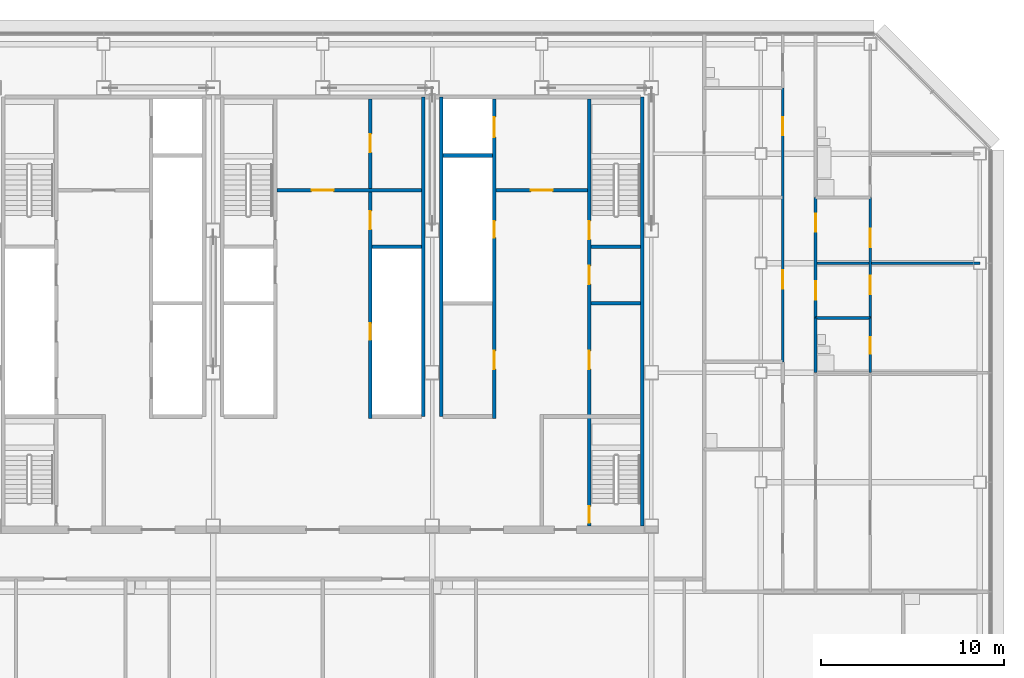
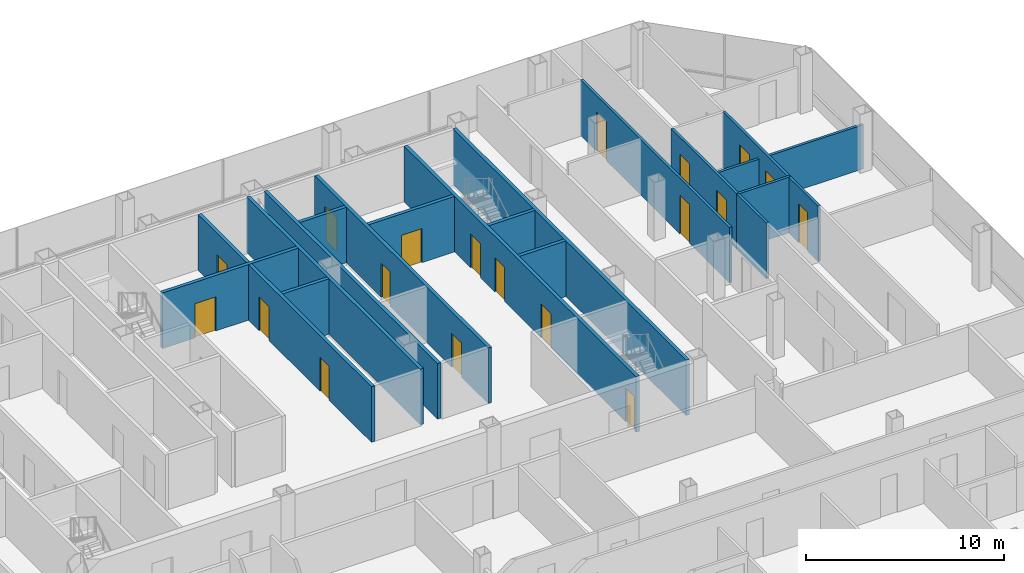
# One storey, part 22 of 26: 19 doors, 19 walls, 19 openings.
"""IFC4 building model written with IfcOpenShell, lengths in metres."""

from ifc_helpers import new_model, si_unit, direction, frame, frame_2d, origin, place, context, subcontext, project, spatial, rectangle, extrude, material, layer, layer_set, type_object, element, fill, save


model = new_model("IFC4")

# Units and contexts
model_context = context("Model", 3, precision=1e-05, world=origin(), true_north=direction((0.0, 1.0)))
body_context = subcontext(model_context, "Body", "Model", "MODEL_VIEW")
ifc_project = project(units=[si_unit("LENGTHUNIT", "METRE"), si_unit("AREAUNIT", "SQUARE_METRE"), si_unit("VOLUMEUNIT", "CUBIC_METRE"), si_unit("PLANEANGLEUNIT", "RADIAN"), si_unit("MASSUNIT", "GRAM", prefix="KILO")], contexts=[model_context])

# Site, building, storey
site_placement = place(None, origin())
site = spatial("IfcSite", under=ifc_project, at=site_placement, CompositionType="ELEMENT")
building_placement = place(site_placement, origin())
building = spatial("IfcBuilding", under=site, at=building_placement, Name="Sorahane Residences", CompositionType="ELEMENT")
storey_placement = place(building_placement, frame((0.0, 0.0, 151.0)))
storey = spatial("IfcBuildingStorey", under=building, at=storey_placement, Name="L34", CompositionType="ELEMENT", Elevation=151.0)

# Walls
ifc_material_1 = material(Name="Concrete C30", Category="concrete")
ifc_layer_1 = layer(ifc_material_1, 0.199951171875)
ifc_layer_set_1 = layer_set([ifc_layer_1], Name="Core face wall 200 EI 180")
wall_type_1 = type_object("IfcWallType", Name="Core face wall 200 EI 180", PredefinedType="SOLIDWALL", material=ifc_layer_set_1)
wall_1_placement = place(storey_placement, frame((41.5, 21.60009765625, 0.0), z_axis=(0.0, 0.0, 1.0), x_axis=(0.0, 1.0, 0.0)))
element("IfcWall", 1, at=wall_1_placement, inside=storey, type_object=wall_type_1, Name="L34 core face wall", PredefinedType="SOLIDWALL", context=body_context, shape_type="SweptSolid", body=[
    extrude(rectangle(XDim=23.5, YDim=0.199951171875, at=frame_2d((11.75, 0.0))), origin(), (0.0, 0.0, 1.0), 3.419921875),
])
for number, where, z_axis, x_axis, name in (
    (2, (29.5, 27.60009765625, 0.0), (0.0, 0.0, 1.0), (0.0, 1.0, 0.0), "L34 core face wall"),
    (3, (30.5, 27.60009765625, 0.0), (0.0, 0.0, 1.0), (0.0, 1.0, 0.0), "L34 core face wall"),
):
    element("IfcWall", number, at=place(storey_placement, frame(where, z_axis=z_axis, x_axis=x_axis)), inside=storey, type_object=wall_type_1, Name=name, PredefinedType="SOLIDWALL", context=body_context, shape_type="SweptSolid", body=[
        extrude(rectangle(XDim=17.5, YDim=0.199951171875, at=frame_2d((8.75, 0.0))), origin(), (0.0, 0.0, 1.0), 3.419921875),
    ])

# Wall, opening, door
ifc_material_2 = material(Name="Concrete C30", Category="concrete")
ifc_layer_2 = layer(ifc_material_2, 0.199951171875)
ifc_layer_set_2 = layer_set([ifc_layer_2], Name="Front room wall 200 EI 120")
wall_type_2 = type_object("IfcWallType", Name="Front room wall 200 EI 120", PredefinedType="PARTITIONING", material=ifc_layer_set_2)
wall_2_placement = place(storey_placement, frame((21.5, 40.0, 0.0), z_axis=(0.0, 0.0, 1.0), x_axis=(1.0, 0.0, 0.0)))
wall_2 = element("IfcWall", 4, at=wall_2_placement, inside=storey, type_object=wall_type_2, Name="L34 front room wall", PredefinedType="PARTITIONING", context=body_context, shape_type="SweptSolid", body=[
    extrude(rectangle(XDim=7.89990234375, YDim=0.199951171875, at=frame_2d((3.949951171875, 0.0))), origin(), (0.0, 0.0, 1.0), 3.419921875),
])
opening_1_placement = place(wall_2_placement, frame((1.89990234375, 0.0, 0.0)))
opening_1 = element("IfcOpeningElement", 5, at=opening_1_placement, cuts=wall_2, Name="Opening L34-C07", PredefinedType="OPENING", context=body_context, shape_type="SweptSolid", body=[
    extrude(rectangle(XDim=1.199951171875, YDim=2.10009765625, at=frame_2d((0.60009765625, 1.050048828125))), frame((0.0, 0.10986328125, 0.0), z_axis=(0.0, -1.0, 0.0), x_axis=(1.0, 0.0, 0.0)), (0.0, 0.0, 1.0), 0.219970703125),
])
ifc_material_3 = material(Name="Steel", Category="steel")
door_type_1 = type_object("IfcDoorType", Name="Front room door 1200x2100 FD120", OperationType="NOTDEFINED", PredefinedType="DOOR", material=ifc_material_3)
door_1_placement = place(opening_1_placement, frame((1.199951171875, 0.0, 0.0), z_axis=(0.0, 0.0, 1.0), x_axis=(-1.0, 0.0, 0.0)))
door_1 = element("IfcDoor", 6, at=door_1_placement, inside=storey, type_object=door_type_1, Name="Front room door Stair S3 vestibule L34", OperationType="DOUBLE_DOOR_SINGLE_SWING", OverallHeight=2.10009765625, OverallWidth=1.199951171875, PredefinedType="DOOR", context=body_context, shape_type="SweptSolid", body=[
    extrude(rectangle(XDim=1.199951171875, YDim=2.10009765625, at=frame_2d((0.60009765625, 1.050048828125))), frame((0.0, 0.02490234375, 0.0), z_axis=(0.0, -1.0, 0.0), x_axis=(1.0, 0.0, 0.0)), (0.0, 0.0, 1.0), 0.050048828125),
])
fill(opening_1, door_1)

wall_3_placement = place(storey_placement, frame((33.5, 40.0, 0.0), z_axis=(0.0, 0.0, 1.0), x_axis=(1.0, 0.0, 0.0)))
wall_3 = element("IfcWall", 7, at=wall_3_placement, inside=storey, type_object=wall_type_2, Name="L34 front room wall", PredefinedType="PARTITIONING", context=body_context, shape_type="SweptSolid", body=[
    extrude(rectangle(XDim=5.0, YDim=0.199951171875, at=frame_2d((2.5, 0.0))), origin(), (0.0, 0.0, 1.0), 3.419921875),
])
opening_2_placement = place(wall_3_placement, frame((1.89990234375, 0.0, 0.0)))
opening_2 = element("IfcOpeningElement", 8, at=opening_2_placement, cuts=wall_3, Name="Opening L34-C08", PredefinedType="OPENING", context=body_context, shape_type="SweptSolid", body=[
    extrude(rectangle(XDim=1.199951171875, YDim=2.10009765625, at=frame_2d((0.60009765625, 1.050048828125))), frame((0.0, 0.10986328125, 0.0), z_axis=(0.0, -1.0, 0.0), x_axis=(1.0, 0.0, 0.0)), (0.0, 0.0, 1.0), 0.219970703125),
])
door_2_placement = place(opening_2_placement, frame((1.199951171875, 0.0, 0.0), z_axis=(0.0, 0.0, 1.0), x_axis=(-1.0, 0.0, 0.0)))
door_2 = element("IfcDoor", 9, at=door_2_placement, inside=storey, type_object=door_type_1, Name="Front room door Firefighting lobby FF2 front room L34", OperationType="DOUBLE_DOOR_SINGLE_SWING", OverallHeight=2.10009765625, OverallWidth=1.199951171875, PredefinedType="DOOR", context=body_context, shape_type="SweptSolid", body=[
    extrude(rectangle(XDim=1.199951171875, YDim=2.10009765625, at=frame_2d((0.60009765625, 1.050048828125))), frame((0.0, 0.02490234375, 0.0), z_axis=(0.0, -1.0, 0.0), x_axis=(1.0, 0.0, 0.0)), (0.0, 0.0, 1.0), 0.050048828125),
])
fill(opening_2, door_2)

# Wall, openings, doors
ifc_material_4 = material(Name="Concrete C30", Category="concrete")
ifc_layer_3 = layer(ifc_material_4, 0.199951171875)
ifc_layer_set_3 = layer_set([ifc_layer_3], Name="Lift shaft wall 200 EI 120")
wall_type_3 = type_object("IfcWallType", Name="Lift shaft wall 200 EI 120", PredefinedType="SOLIDWALL", material=ifc_layer_set_3)
wall_4_placement = place(storey_placement, frame((33.39990234375, 27.5, 0.0), z_axis=(0.0, 0.0, 1.0), x_axis=(0.0, 1.0, 0.0)))
wall_4 = element("IfcWall", 10, at=wall_4_placement, inside=storey, type_object=wall_type_3, Name="L34 lift shaft wall", PredefinedType="SOLIDWALL", context=body_context, shape_type="SweptSolid", body=[
    extrude(rectangle(XDim=17.5, YDim=0.199951171875, at=frame_2d((8.75, 0.0))), origin(), (0.0, 0.0, 1.0), 3.419921875),
])
opening_3_placement = place(wall_4_placement, frame((15.39990234375, 0.0, 0.0)))
opening_3 = element("IfcOpeningElement", 11, at=opening_3_placement, cuts=wall_4, Name="Opening L34-C09", PredefinedType="OPENING", context=body_context, shape_type="SweptSolid", body=[
    extrude(rectangle(XDim=1.10009765625, YDim=2.10009765625, at=frame_2d((0.550048828125, 1.050048828125))), frame((0.0, 0.10986328125, 0.0), z_axis=(0.0, -1.0, 0.0), x_axis=(1.0, 0.0, 0.0)), (0.0, 0.0, 1.0), 0.219970703125),
])
opening_4_placement = place(wall_4_placement, frame((2.699951171875, 0.0, 0.0)))
opening_4 = element("IfcOpeningElement", 12, at=opening_4_placement, cuts=wall_4, Name="Opening L34-C18", PredefinedType="OPENING", context=body_context, shape_type="SweptSolid", body=[
    extrude(rectangle(XDim=1.0, YDim=2.10009765625, at=frame_2d((0.5, 1.050048828125))), frame((0.0, 0.10986328125, 0.0), z_axis=(0.0, -1.0, 0.0), x_axis=(1.0, 0.0, 0.0)), (0.0, 0.0, 1.0), 0.219970703125),
])
opening_5_placement = place(wall_4_placement, frame((9.89990234375, 0.0, 0.0)))
opening_5 = element("IfcOpeningElement", 13, at=opening_5_placement, cuts=wall_4, Name="Opening L34-C25", PredefinedType="OPENING", context=body_context, shape_type="SweptSolid", body=[
    extrude(rectangle(XDim=0.89990234375, YDim=2.10009765625, at=frame_2d((0.449951171875, 1.050048828125))), frame((0.0, 0.10986328125, 0.0), z_axis=(0.0, -1.0, 0.0), x_axis=(1.0, 0.0, 0.0)), (0.0, 0.0, 1.0), 0.219970703125),
])
ifc_material_5 = material(Name="Aluminium and stainless steel", Category="steel")
door_type_2 = type_object("IfcDoorType", Name="Lift landing door 1100x2100 E 60", OperationType="NOTDEFINED", PredefinedType="DOOR", material=ifc_material_5)
door_3_placement = place(opening_3_placement, origin())
door_3 = element("IfcDoor", 14, at=door_3_placement, inside=storey, type_object=door_type_2, Name="Lift landing door FF2 L34", OperationType="DOUBLE_DOOR_SLIDING", OverallHeight=2.10009765625, OverallWidth=1.10009765625, PredefinedType="DOOR", context=body_context, shape_type="SweptSolid", body=[
    extrude(rectangle(XDim=1.10009765625, YDim=2.10009765625, at=frame_2d((0.550048828125, 1.050048828125))), frame((0.0, 0.02490234375, 0.0), z_axis=(0.0, -1.0, 0.0), x_axis=(1.0, 0.0, 0.0)), (0.0, 0.0, 1.0), 0.050048828125),
])
fill(opening_3, door_3)
ifc_material_6 = material(Name="Steel", Category="steel")
door_type_3 = type_object("IfcDoorType", Name="Riser door 900x2100 FD120", OperationType="NOTDEFINED", PredefinedType="DOOR", material=ifc_material_6)
door_4_placement = place(opening_5_placement, frame((0.89990234375, 0.0, 0.0), z_axis=(0.0, 0.0, 1.0), x_axis=(-1.0, 0.0, 0.0)))
door_4 = element("IfcDoor", 15, at=door_4_placement, inside=storey, type_object=door_type_3, Name="Riser door R2 L34", OperationType="SINGLE_SWING_LEFT", OverallHeight=2.10009765625, OverallWidth=0.89990234375, PredefinedType="DOOR", context=body_context, shape_type="SweptSolid", body=[
    extrude(rectangle(XDim=0.89990234375, YDim=2.10009765625, at=frame_2d((0.449951171875, 1.050048828125))), frame((0.0, 0.02490234375, 0.0), z_axis=(0.0, -1.0, 0.0), x_axis=(1.0, 0.0, 0.0)), (0.0, 0.0, 1.0), 0.050048828125),
])
fill(opening_5, door_4)
ifc_material_7 = material(Name="Steel", Category="steel")
door_type_4 = type_object("IfcDoorType", Name="Service room door 1000x2100 FD60", OperationType="NOTDEFINED", PredefinedType="DOOR", material=ifc_material_7)
door_5_placement = place(opening_4_placement, origin())
door_5 = element("IfcDoor", 16, at=door_5_placement, inside=storey, type_object=door_type_4, Name="Service room door Library L34", OperationType="SINGLE_SWING_RIGHT", OverallHeight=2.10009765625, OverallWidth=1.0, PredefinedType="DOOR", context=body_context, shape_type="SweptSolid", body=[
    extrude(rectangle(XDim=1.0, YDim=2.10009765625, at=frame_2d((0.5, 1.050048828125))), frame((0.0, 0.02490234375, 0.0), z_axis=(0.0, -1.0, 0.0), x_axis=(1.0, 0.0, 0.0)), (0.0, 0.0, 1.0), 0.050048828125),
])
fill(opening_4, door_5)

# Wall
wall_5_placement = place(storey_placement, frame((30.60009765625, 41.89990234375, 0.0), z_axis=(0.0, 0.0, 1.0), x_axis=(1.0, 0.0, 0.0)))
element("IfcWall", 17, at=wall_5_placement, inside=storey, type_object=wall_type_3, Name="L34 lift shaft wall", PredefinedType="SOLIDWALL", context=body_context, shape_type="SweptSolid", body=[
    extrude(rectangle(XDim=2.699951171875, YDim=0.199951171875, at=frame_2d((1.35009765625, 0.0))), origin(), (0.0, 0.0, 1.0), 3.419921875),
])

# Wall, openings, doors
ifc_material_8 = material(Name="Gypsum board partition on steel studs", Category="steel")
ifc_layer_4 = layer(ifc_material_8, 0.14990234375)
ifc_layer_set_4 = layer_set([ifc_layer_4], Name="Partition 150 EI 90")
wall_type_4 = type_object("IfcWallType", Name="Partition 150 EI 90", PredefinedType="PARTITIONING", material=ifc_layer_set_4)
wall_6_placement = place(storey_placement, frame((49.199951171875, 30.60009765625, 0.0), z_axis=(0.0, 0.0, 1.0), x_axis=(0.0, 1.0, 0.0)))
wall_6 = element("IfcWall", 18, at=wall_6_placement, inside=storey, type_object=wall_type_4, Name="L34 partition", PredefinedType="PARTITIONING", context=body_context, shape_type="SweptSolid", body=[
    extrude(rectangle(XDim=15.0, YDim=0.14990234375, at=frame_2d((7.5, 0.0))), origin(), (0.0, 0.0, 1.0), 3.419921875),
])
opening_6_placement = place(wall_6_placement, frame((12.39990234375, 0.0, 0.0)))
opening_6 = element("IfcOpeningElement", 19, at=opening_6_placement, cuts=wall_6, Name="Opening L34-28", PredefinedType="OPENING", context=body_context, shape_type="SweptSolid", body=[
    extrude(rectangle(XDim=1.0, YDim=2.39990234375, at=frame_2d((0.5, 1.199951171875))), frame((0.0, 0.0849609375, 0.0), z_axis=(0.0, -1.0, 0.0), x_axis=(1.0, 0.0, 0.0)), (0.0, 0.0, 1.0), 0.169921875),
])
opening_7_placement = place(wall_6_placement, frame((4.0, 0.0, 0.0)))
opening_7 = element("IfcOpeningElement", 20, at=opening_7_placement, cuts=wall_6, Name="Opening L34-31", PredefinedType="OPENING", context=body_context, shape_type="SweptSolid", body=[
    extrude(rectangle(XDim=1.0, YDim=2.39990234375, at=frame_2d((0.5, 1.199951171875))), frame((0.0, 0.0849609375, 0.0), z_axis=(0.0, -1.0, 0.0), x_axis=(1.0, 0.0, 0.0)), (0.0, 0.0, 1.0), 0.169921875),
])
ifc_material_9 = material(Name="Timber veneered fire door", Category="wood")
door_type_5 = type_object("IfcDoorType", Name="Room door 1000x2400 FD30", OperationType="NOTDEFINED", PredefinedType="DOOR", material=ifc_material_9)
door_6_placement = place(opening_6_placement, frame((1.0, 0.0, 0.0), z_axis=(0.0, 0.0, 1.0), x_axis=(-1.0, 0.0, 0.0)))
door_6 = element("IfcDoor", 21, at=door_6_placement, inside=storey, type_object=door_type_5, Name="Room door L34-28", OperationType="SINGLE_SWING_LEFT", OverallHeight=2.39990234375, OverallWidth=1.0, PredefinedType="DOOR", context=body_context, shape_type="SweptSolid", body=[
    extrude(rectangle(XDim=1.0, YDim=2.39990234375, at=frame_2d((0.5, 1.199951171875))), frame((0.0, 0.02490234375, 0.0), z_axis=(0.0, -1.0, 0.0), x_axis=(1.0, 0.0, 0.0)), (0.0, 0.0, 1.0), 0.050048828125),
])
fill(opening_6, door_6)
door_7_placement = place(opening_7_placement, origin())
door_7 = element("IfcDoor", 22, at=door_7_placement, inside=storey, type_object=door_type_5, Name="Room door L34-31", OperationType="SINGLE_SWING_LEFT", OverallHeight=2.39990234375, OverallWidth=1.0, PredefinedType="DOOR", context=body_context, shape_type="SweptSolid", body=[
    extrude(rectangle(XDim=1.0, YDim=2.39990234375, at=frame_2d((0.5, 1.199951171875))), frame((0.0, 0.02490234375, 0.0), z_axis=(0.0, -1.0, 0.0), x_axis=(1.0, 0.0, 0.0)), (0.0, 0.0, 1.0), 0.050048828125),
])
fill(opening_7, door_7)

wall_7_placement = place(storey_placement, frame((51.0, 33.0, 0.0), z_axis=(0.0, 0.0, 1.0), x_axis=(0.0, 1.0, 0.0)))
wall_7 = element("IfcWall", 23, at=wall_7_placement, inside=storey, type_object=wall_type_4, Name="L34 partition", PredefinedType="PARTITIONING", context=body_context, shape_type="SweptSolid", body=[
    extrude(rectangle(XDim=6.60009765625, YDim=0.14990234375, at=frame_2d((3.300048828125, 0.0))), origin(), (0.0, 0.0, 1.0), 3.419921875),
])
opening_8_placement = place(wall_7_placement, frame((1.0, 0.0, 0.0)))
opening_8 = element("IfcOpeningElement", 24, at=opening_8_placement, cuts=wall_7, Name="Opening L34-34", PredefinedType="OPENING", context=body_context, shape_type="SweptSolid", body=[
    extrude(rectangle(XDim=1.0, YDim=2.39990234375, at=frame_2d((0.5, 1.199951171875))), frame((0.0, 0.0849609375, 0.0), z_axis=(0.0, -1.0, 0.0), x_axis=(1.0, 0.0, 0.0)), (0.0, 0.0, 1.0), 0.169921875),
])
opening_9_placement = place(wall_7_placement, frame((4.719970703125, 0.0, 0.0)))
opening_9 = element("IfcOpeningElement", 25, at=opening_9_placement, cuts=wall_7, Name="Opening L34-35", PredefinedType="OPENING", context=body_context, shape_type="SweptSolid", body=[
    extrude(rectangle(XDim=1.0, YDim=2.39990234375, at=frame_2d((0.5, 1.199951171875))), frame((0.0, 0.0849609375, 0.0), z_axis=(0.0, -1.0, 0.0), x_axis=(1.0, 0.0, 0.0)), (0.0, 0.0, 1.0), 0.169921875),
])
door_8_placement = place(opening_8_placement, frame((1.0, 0.0, 0.0), z_axis=(0.0, 0.0, 1.0), x_axis=(-1.0, 0.0, 0.0)))
door_8 = element("IfcDoor", 26, at=door_8_placement, inside=storey, type_object=door_type_5, Name="Room door L34-34", OperationType="SINGLE_SWING_RIGHT", OverallHeight=2.39990234375, OverallWidth=1.0, PredefinedType="DOOR", context=body_context, shape_type="SweptSolid", body=[
    extrude(rectangle(XDim=1.0, YDim=2.39990234375, at=frame_2d((0.5, 1.199951171875))), frame((0.0, 0.02490234375, 0.0), z_axis=(0.0, -1.0, 0.0), x_axis=(1.0, 0.0, 0.0)), (0.0, 0.0, 1.0), 0.050048828125),
])
fill(opening_8, door_8)
door_9_placement = place(opening_9_placement, frame((1.0, 0.0, 0.0), z_axis=(0.0, 0.0, 1.0), x_axis=(-1.0, 0.0, 0.0)))
door_9 = element("IfcDoor", 27, at=door_9_placement, inside=storey, type_object=door_type_5, Name="Room door L34-35", OperationType="SINGLE_SWING_LEFT", OverallHeight=2.39990234375, OverallWidth=1.0, PredefinedType="DOOR", context=body_context, shape_type="SweptSolid", body=[
    extrude(rectangle(XDim=1.0, YDim=2.39990234375, at=frame_2d((0.5, 1.199951171875))), frame((0.0, 0.02490234375, 0.0), z_axis=(0.0, -1.0, 0.0), x_axis=(1.0, 0.0, 0.0)), (0.0, 0.0, 1.0), 0.050048828125),
])
fill(opening_9, door_9)

wall_8_placement = place(storey_placement, frame((54.0, 33.0, 0.0), z_axis=(0.0, 0.0, 1.0), x_axis=(0.0, 1.0, 0.0)))
wall_8 = element("IfcWall", 28, at=wall_8_placement, inside=storey, type_object=wall_type_4, Name="L34 partition", PredefinedType="PARTITIONING", context=body_context, shape_type="SweptSolid", body=[
    extrude(rectangle(XDim=6.60009765625, YDim=0.14990234375, at=frame_2d((3.300048828125, 0.0))), origin(), (0.0, 0.0, 1.0), 3.419921875),
])
opening_10_placement = place(wall_8_placement, frame((1.300048828125, 0.0, 0.0)))
opening_10 = element("IfcOpeningElement", 29, at=opening_10_placement, cuts=wall_8, Name="Opening L34-37", PredefinedType="OPENING", context=body_context, shape_type="SweptSolid", body=[
    extrude(rectangle(XDim=1.0, YDim=2.39990234375, at=frame_2d((0.5, 1.199951171875))), frame((0.0, 0.0849609375, 0.0), z_axis=(0.0, -1.0, 0.0), x_axis=(1.0, 0.0, 0.0)), (0.0, 0.0, 1.0), 0.169921875),
])
opening_11_placement = place(wall_8_placement, frame((3.8798828125, 0.0, 0.0)))
opening_11 = element("IfcOpeningElement", 30, at=opening_11_placement, cuts=wall_8, Name="Opening L34-39", PredefinedType="OPENING", context=body_context, shape_type="SweptSolid", body=[
    extrude(rectangle(XDim=1.0, YDim=2.39990234375, at=frame_2d((0.5, 1.199951171875))), frame((0.0, 0.0849609375, 0.0), z_axis=(0.0, -1.0, 0.0), x_axis=(1.0, 0.0, 0.0)), (0.0, 0.0, 1.0), 0.169921875),
])
door_10_placement = place(opening_10_placement, frame((1.0, 0.0, 0.0), z_axis=(0.0, 0.0, 1.0), x_axis=(-1.0, 0.0, 0.0)))
door_10 = element("IfcDoor", 31, at=door_10_placement, inside=storey, type_object=door_type_5, Name="Room door L34-37", OperationType="SINGLE_SWING_RIGHT", OverallHeight=2.39990234375, OverallWidth=1.0, PredefinedType="DOOR", context=body_context, shape_type="SweptSolid", body=[
    extrude(rectangle(XDim=1.0, YDim=2.39990234375, at=frame_2d((0.5, 1.199951171875))), frame((0.0, 0.02490234375, 0.0), z_axis=(0.0, -1.0, 0.0), x_axis=(1.0, 0.0, 0.0)), (0.0, 0.0, 1.0), 0.050048828125),
])
fill(opening_10, door_10)
door_11_placement = place(opening_11_placement, frame((1.0, 0.0, 0.0), z_axis=(0.0, 0.0, 1.0), x_axis=(-1.0, 0.0, 0.0)))
door_11 = element("IfcDoor", 32, at=door_11_placement, inside=storey, type_object=door_type_5, Name="Room door L34-39", OperationType="SINGLE_SWING_LEFT", OverallHeight=2.39990234375, OverallWidth=1.0, PredefinedType="DOOR", context=body_context, shape_type="SweptSolid", body=[
    extrude(rectangle(XDim=1.0, YDim=2.39990234375, at=frame_2d((0.5, 1.199951171875))), frame((0.0, 0.02490234375, 0.0), z_axis=(0.0, -1.0, 0.0), x_axis=(1.0, 0.0, 0.0)), (0.0, 0.0, 1.0), 0.050048828125),
])
fill(opening_11, door_11)

# Wall
wall_9_placement = place(storey_placement, frame((51.0, 36.0, 0.0), z_axis=(0.0, 0.0, 1.0), x_axis=(1.0, 0.0, 0.0)))
element("IfcWall", 33, at=wall_9_placement, inside=storey, type_object=wall_type_4, Name="L34 partition", PredefinedType="PARTITIONING", context=body_context, shape_type="SweptSolid", body=[
    extrude(rectangle(XDim=9.0, YDim=0.14990234375, at=frame_2d((4.5, 0.0))), origin(), (0.0, 0.0, 1.0), 2.719970703125),
])

# Wall, openings, doors
ifc_material_10 = material(Name="Concrete C30", Category="concrete")
ifc_layer_5 = layer(ifc_material_10, 0.199951171875)
ifc_layer_set_5 = layer_set([ifc_layer_5], Name="Riser shaft wall 200 EI 120")
wall_type_5 = type_object("IfcWallType", Name="Riser shaft wall 200 EI 120", PredefinedType="SOLIDWALL", material=ifc_layer_set_5)
wall_10_placement = place(storey_placement, frame((26.60009765625, 27.5, 0.0), z_axis=(0.0, 0.0, 1.0), x_axis=(0.0, 1.0, 0.0)))
wall_10 = element("IfcWall", 34, at=wall_10_placement, inside=storey, type_object=wall_type_5, Name="L34 riser wall", PredefinedType="SOLIDWALL", context=body_context, shape_type="SweptSolid", body=[
    extrude(rectangle(XDim=17.5, YDim=0.199951171875, at=frame_2d((8.75, 0.0))), origin(), (0.0, 0.0, 1.0), 3.419921875),
])
opening_12_placement = place(wall_10_placement, frame((4.300048828125, 0.0, 0.0)))
opening_12 = element("IfcOpeningElement", 35, at=opening_12_placement, cuts=wall_10, Name="Opening L34-C27", PredefinedType="OPENING", context=body_context, shape_type="SweptSolid", body=[
    extrude(rectangle(XDim=0.89990234375, YDim=2.10009765625, at=frame_2d((0.449951171875, 1.050048828125))), frame((0.0, 0.10986328125, 0.0), z_axis=(0.0, -1.0, 0.0), x_axis=(1.0, 0.0, 0.0)), (0.0, 0.0, 1.0), 0.219970703125),
])
opening_13_placement = place(wall_10_placement, frame((10.35009765625, 0.0, 0.0)))
opening_13 = element("IfcOpeningElement", 36, at=opening_13_placement, cuts=wall_10, Name="Opening L34-C28", PredefinedType="OPENING", context=body_context, shape_type="SweptSolid", body=[
    extrude(rectangle(XDim=1.0, YDim=2.10009765625, at=frame_2d((0.5, 1.050048828125))), frame((0.0, 0.10986328125, 0.0), z_axis=(0.0, -1.0, 0.0), x_axis=(1.0, 0.0, 0.0)), (0.0, 0.0, 1.0), 0.219970703125),
])
opening_14_placement = place(wall_10_placement, frame((14.574951171875, 0.0, 0.0)))
opening_14 = element("IfcOpeningElement", 37, at=opening_14_placement, cuts=wall_10, Name="Opening L34-C29", PredefinedType="OPENING", context=body_context, shape_type="SweptSolid", body=[
    extrude(rectangle(XDim=1.0, YDim=2.10009765625, at=frame_2d((0.5, 1.050048828125))), frame((0.0, 0.10986328125, 0.0), z_axis=(0.0, -1.0, 0.0), x_axis=(1.0, 0.0, 0.0)), (0.0, 0.0, 1.0), 0.219970703125),
])
door_12_placement = place(opening_12_placement, origin())
door_12 = element("IfcDoor", 38, at=door_12_placement, inside=storey, type_object=door_type_3, Name="Riser door R4 L34", OperationType="SINGLE_SWING_LEFT", OverallHeight=2.10009765625, OverallWidth=0.89990234375, PredefinedType="DOOR", context=body_context, shape_type="SweptSolid", body=[
    extrude(rectangle(XDim=0.89990234375, YDim=2.10009765625, at=frame_2d((0.449951171875, 1.050048828125))), frame((0.0, 0.02490234375, 0.0), z_axis=(0.0, -1.0, 0.0), x_axis=(1.0, 0.0, 0.0)), (0.0, 0.0, 1.0), 0.050048828125),
])
fill(opening_12, door_12)
door_13_placement = place(opening_13_placement, frame((1.0, 0.0, 0.0), z_axis=(0.0, 0.0, 1.0), x_axis=(-1.0, 0.0, 0.0)))
door_13 = element("IfcDoor", 39, at=door_13_placement, inside=storey, type_object=door_type_4, Name="Service room door Linen room L34", OperationType="SINGLE_SWING_LEFT", OverallHeight=2.10009765625, OverallWidth=1.0, PredefinedType="DOOR", context=body_context, shape_type="SweptSolid", body=[
    extrude(rectangle(XDim=1.0, YDim=2.10009765625, at=frame_2d((0.5, 1.050048828125))), frame((0.0, 0.02490234375, 0.0), z_axis=(0.0, -1.0, 0.0), x_axis=(1.0, 0.0, 0.0)), (0.0, 0.0, 1.0), 0.050048828125),
])
fill(opening_13, door_13)
door_14_placement = place(opening_14_placement, frame((1.0, 0.0, 0.0), z_axis=(0.0, 0.0, 1.0), x_axis=(-1.0, 0.0, 0.0)))
door_14 = element("IfcDoor", 40, at=door_14_placement, inside=storey, type_object=door_type_4, Name="Service room door Cleaners' store L34", OperationType="SINGLE_SWING_LEFT", OverallHeight=2.10009765625, OverallWidth=1.0, PredefinedType="DOOR", context=body_context, shape_type="SweptSolid", body=[
    extrude(rectangle(XDim=1.0, YDim=2.10009765625, at=frame_2d((0.5, 1.050048828125))), frame((0.0, 0.02490234375, 0.0), z_axis=(0.0, -1.0, 0.0), x_axis=(1.0, 0.0, 0.0)), (0.0, 0.0, 1.0), 0.050048828125),
])
fill(opening_14, door_14)

# Walls
wall_11_placement = place(storey_placement, frame((26.699951171875, 36.89990234375, 0.0), z_axis=(0.0, 0.0, 1.0), x_axis=(1.0, 0.0, 0.0)))
element("IfcWall", 41, at=wall_11_placement, inside=storey, type_object=wall_type_5, Name="L34 riser wall", PredefinedType="SOLIDWALL", context=body_context, shape_type="SweptSolid", body=[
    extrude(rectangle(XDim=2.699951171875, YDim=0.199951171875, at=frame_2d((1.35009765625, 0.0))), origin(), (0.0, 0.0, 1.0), 3.419921875),
])
ifc_material_11 = material(Name="Concrete C30", Category="concrete")
ifc_layer_6 = layer(ifc_material_11, 0.199951171875)
ifc_layer_set_6 = layer_set([ifc_layer_6], Name="Service room partition 200 EI 60")
wall_type_6 = type_object("IfcWallType", Name="Service room partition 200 EI 60", PredefinedType="PARTITIONING", material=ifc_layer_set_6)
wall_12_placement = place(storey_placement, frame((38.699951171875, 33.800048828125, 0.0), z_axis=(0.0, 0.0, 1.0), x_axis=(1.0, 0.0, 0.0)))
element("IfcWall", 42, at=wall_12_placement, inside=storey, type_object=wall_type_6, Name="L34 service room wall", PredefinedType="PARTITIONING", context=body_context, shape_type="SweptSolid", body=[
    extrude(rectangle(XDim=2.699951171875, YDim=0.199951171875, at=frame_2d((1.35009765625, 0.0))), origin(), (0.0, 0.0, 1.0), 3.419921875),
])

# Wall, openings, doors
ifc_material_12 = material(Name="Concrete C30", Category="concrete")
ifc_layer_7 = layer(ifc_material_12, 0.199951171875)
ifc_layer_set_7 = layer_set([ifc_layer_7], Name="Stair enclosure wall 200 EI 120")
wall_type_7 = type_object("IfcWallType", Name="Stair enclosure wall 200 EI 120", PredefinedType="SOLIDWALL", material=ifc_layer_set_7)
wall_13_placement = place(storey_placement, frame((38.60009765625, 21.60009765625, 0.0), z_axis=(0.0, 0.0, 1.0), x_axis=(0.0, 1.0, 0.0)))
wall_13 = element("IfcWall", 43, at=wall_13_placement, inside=storey, type_object=wall_type_7, Name="L34 stair enclosure wall", PredefinedType="SOLIDWALL", context=body_context, shape_type="SweptSolid", body=[
    extrude(rectangle(XDim=23.39990234375, YDim=0.199951171875, at=frame_2d((11.699951171875, 0.0))), origin(), (0.0, 0.0, 1.0), 3.419921875),
])
opening_15_placement = place(wall_13_placement, frame((8.60009765625, 0.0, 0.0)))
opening_15 = element("IfcOpeningElement", 44, at=opening_15_placement, cuts=wall_13, Name="Opening L34-C16", PredefinedType="OPENING", context=body_context, shape_type="SweptSolid", body=[
    extrude(rectangle(XDim=1.0, YDim=2.10009765625, at=frame_2d((0.5, 1.050048828125))), frame((0.0, 0.10986328125, 0.0), z_axis=(0.0, -1.0, 0.0), x_axis=(1.0, 0.0, 0.0)), (0.0, 0.0, 1.0), 0.219970703125),
])
opening_16_placement = place(wall_13_placement, frame((13.25, 0.0, 0.0)))
opening_16 = element("IfcOpeningElement", 45, at=opening_16_placement, cuts=wall_13, Name="Opening L34-C17", PredefinedType="OPENING", context=body_context, shape_type="SweptSolid", body=[
    extrude(rectangle(XDim=1.0, YDim=2.10009765625, at=frame_2d((0.5, 1.050048828125))), frame((0.0, 0.10986328125, 0.0), z_axis=(0.0, -1.0, 0.0), x_axis=(1.0, 0.0, 0.0)), (0.0, 0.0, 1.0), 0.219970703125),
])
opening_17_placement = place(wall_13_placement, frame((15.699951171875, 0.0, 0.0)))
opening_17 = element("IfcOpeningElement", 46, at=opening_17_placement, cuts=wall_13, Name="Opening L34-C20", PredefinedType="OPENING", context=body_context, shape_type="SweptSolid", body=[
    extrude(rectangle(XDim=1.0, YDim=2.10009765625, at=frame_2d((0.5, 1.050048828125))), frame((0.0, 0.10986328125, 0.0), z_axis=(0.0, -1.0, 0.0), x_axis=(1.0, 0.0, 0.0)), (0.0, 0.0, 1.0), 0.219970703125),
])
opening_18_placement = place(wall_13_placement, frame((0.175048828125, 0.0, 0.0)))
opening_18 = element("IfcOpeningElement", 47, at=opening_18_placement, cuts=wall_13, Name="Opening L34-C23", PredefinedType="OPENING", context=body_context, shape_type="SweptSolid", body=[
    extrude(rectangle(XDim=0.89990234375, YDim=2.10009765625, at=frame_2d((0.449951171875, 1.050048828125))), frame((0.0, 0.10986328125, 0.0), z_axis=(0.0, -1.0, 0.0), x_axis=(1.0, 0.0, 0.0)), (0.0, 0.0, 1.0), 0.219970703125),
])
door_15_placement = place(opening_15_placement, frame((1.0, 0.0, 0.0), z_axis=(0.0, 0.0, 1.0), x_axis=(-1.0, 0.0, 0.0)))
door_15 = element("IfcDoor", 48, at=door_15_placement, inside=storey, type_object=door_type_4, Name="Service room door Library L34", OperationType="SINGLE_SWING_RIGHT", OverallHeight=2.10009765625, OverallWidth=1.0, PredefinedType="DOOR", context=body_context, shape_type="SweptSolid", body=[
    extrude(rectangle(XDim=1.0, YDim=2.10009765625, at=frame_2d((0.5, 1.050048828125))), frame((0.0, 0.02490234375, 0.0), z_axis=(0.0, -1.0, 0.0), x_axis=(1.0, 0.0, 0.0)), (0.0, 0.0, 1.0), 0.050048828125),
])
fill(opening_15, door_15)
door_16_placement = place(opening_16_placement, frame((1.0, 0.0, 0.0), z_axis=(0.0, 0.0, 1.0), x_axis=(-1.0, 0.0, 0.0)))
door_16 = element("IfcDoor", 49, at=door_16_placement, inside=storey, type_object=door_type_4, Name="Service room door Library L34", OperationType="SINGLE_SWING_LEFT", OverallHeight=2.10009765625, OverallWidth=1.0, PredefinedType="DOOR", context=body_context, shape_type="SweptSolid", body=[
    extrude(rectangle(XDim=1.0, YDim=2.10009765625, at=frame_2d((0.5, 1.050048828125))), frame((0.0, 0.02490234375, 0.0), z_axis=(0.0, -1.0, 0.0), x_axis=(1.0, 0.0, 0.0)), (0.0, 0.0, 1.0), 0.050048828125),
])
fill(opening_16, door_16)
ifc_material_13 = material(Name="Steel", Category="steel")
door_type_6 = type_object("IfcDoorType", Name="Stair door 1000x2100 FD120", OperationType="NOTDEFINED", PredefinedType="DOOR", material=ifc_material_13)
door_17_placement = place(opening_17_placement, frame((1.0, 0.0, 0.0), z_axis=(0.0, 0.0, 1.0), x_axis=(-1.0, 0.0, 0.0)))
door_17 = element("IfcDoor", 50, at=door_17_placement, inside=storey, type_object=door_type_6, Name="Stair door S2 L34", OperationType="SINGLE_SWING_LEFT", OverallHeight=2.10009765625, OverallWidth=1.0, PredefinedType="DOOR", context=body_context, shape_type="SweptSolid", body=[
    extrude(rectangle(XDim=1.0, YDim=2.10009765625, at=frame_2d((0.5, 1.050048828125))), frame((0.0, 0.02490234375, 0.0), z_axis=(0.0, -1.0, 0.0), x_axis=(1.0, 0.0, 0.0)), (0.0, 0.0, 1.0), 0.050048828125),
])
fill(opening_17, door_17)
ifc_material_14 = material(Name="Steel", Category="steel")
door_type_7 = type_object("IfcDoorType", Name="Stair door 900x2100 FD120", OperationType="NOTDEFINED", PredefinedType="DOOR", material=ifc_material_14)
door_18_placement = place(opening_18_placement, frame((0.89990234375, 0.0, 0.0), z_axis=(0.0, 0.0, 1.0), x_axis=(-1.0, 0.0, 0.0)))
door_18 = element("IfcDoor", 51, at=door_18_placement, inside=storey, type_object=door_type_7, Name="Stair door S5 L34", OperationType="SINGLE_SWING_LEFT", OverallHeight=2.10009765625, OverallWidth=0.89990234375, PredefinedType="DOOR", context=body_context, shape_type="SweptSolid", body=[
    extrude(rectangle(XDim=0.89990234375, YDim=2.10009765625, at=frame_2d((0.449951171875, 1.050048828125))), frame((0.0, 0.02490234375, 0.0), z_axis=(0.0, -1.0, 0.0), x_axis=(1.0, 0.0, 0.0)), (0.0, 0.0, 1.0), 0.050048828125),
])
fill(opening_18, door_18)

# Walls
wall_14_placement = place(storey_placement, frame((38.699951171875, 36.89990234375, 0.0), z_axis=(0.0, 0.0, 1.0), x_axis=(1.0, 0.0, 0.0)))
element("IfcWall", 52, at=wall_14_placement, inside=storey, type_object=wall_type_7, Name="L34 stair enclosure wall", PredefinedType="SOLIDWALL", context=body_context, shape_type="SweptSolid", body=[
    extrude(rectangle(XDim=2.699951171875, YDim=0.199951171875, at=frame_2d((1.35009765625, 0.0))), origin(), (0.0, 0.0, 1.0), 3.419921875),
])
ifc_material_15 = material(Name="Gypsum board partition on steel studs", Category="steel")
ifc_layer_8 = layer(ifc_material_15, 0.14990234375)
ifc_layer_set_8 = layer_set([ifc_layer_8], Name="Wet wall 150 EI 90")
wall_type_8 = type_object("IfcWallType", Name="Wet wall 150 EI 90", PredefinedType="PARTITIONING", material=ifc_layer_set_8)
wall_15_placement = place(storey_placement, frame((51.0, 30.0, 0.0), z_axis=(0.0, 0.0, 1.0), x_axis=(0.0, 1.0, 0.0)))
element("IfcWall", 53, at=wall_15_placement, inside=storey, type_object=wall_type_8, Name="L34 wet wall", PredefinedType="PARTITIONING", context=body_context, shape_type="SweptSolid", body=[
    extrude(rectangle(XDim=3.0, YDim=0.14990234375, at=frame_2d((1.5, 0.0))), origin(), (0.0, 0.0, 1.0), 3.419921875),
])

# Wall, opening, door
wall_16_placement = place(storey_placement, frame((54.0, 30.0, 0.0), z_axis=(0.0, 0.0, 1.0), x_axis=(0.0, 1.0, 0.0)))
wall_16 = element("IfcWall", 54, at=wall_16_placement, inside=storey, type_object=wall_type_8, Name="L34 wet wall", PredefinedType="PARTITIONING", context=body_context, shape_type="SweptSolid", body=[
    extrude(rectangle(XDim=3.0, YDim=0.14990234375, at=frame_2d((1.5, 0.0))), origin(), (0.0, 0.0, 1.0), 3.419921875),
])
opening_19_placement = place(wall_16_placement, frame((1.050048828125, 0.0, 0.0)))
opening_19 = element("IfcOpeningElement", 55, at=opening_19_placement, cuts=wall_16, Name="Opening L34-38", PredefinedType="OPENING", context=body_context, shape_type="SweptSolid", body=[
    extrude(rectangle(XDim=0.89990234375, YDim=2.39990234375, at=frame_2d((0.449951171875, 1.199951171875))), frame((0.0, 0.0849609375, 0.0), z_axis=(0.0, -1.0, 0.0), x_axis=(1.0, 0.0, 0.0)), (0.0, 0.0, 1.0), 0.169921875),
])
ifc_material_16 = material(Name="Timber veneered fire door", Category="wood")
door_type_8 = type_object("IfcDoorType", Name="Bathroom door 900x2400 FD30", OperationType="NOTDEFINED", PredefinedType="DOOR", material=ifc_material_16)
door_19_placement = place(opening_19_placement, frame((0.89990234375, 0.0, 0.0), z_axis=(0.0, 0.0, 1.0), x_axis=(-1.0, 0.0, 0.0)))
door_19 = element("IfcDoor", 56, at=door_19_placement, inside=storey, type_object=door_type_8, Name="Bathroom door L34-38", OperationType="SINGLE_SWING_LEFT", OverallHeight=2.39990234375, OverallWidth=0.89990234375, PredefinedType="DOOR", context=body_context, shape_type="SweptSolid", body=[
    extrude(rectangle(XDim=0.89990234375, YDim=2.39990234375, at=frame_2d((0.449951171875, 1.199951171875))), frame((0.0, 0.02490234375, 0.0), z_axis=(0.0, -1.0, 0.0), x_axis=(1.0, 0.0, 0.0)), (0.0, 0.0, 1.0), 0.050048828125),
])
fill(opening_19, door_19)

# Wall
wall_17_placement = place(storey_placement, frame((51.0, 33.0, 0.0), z_axis=(0.0, 0.0, 1.0), x_axis=(1.0, 0.0, 0.0)))
element("IfcWall", 57, at=wall_17_placement, inside=storey, type_object=wall_type_8, Name="L34 wet wall", PredefinedType="PARTITIONING", context=body_context, shape_type="SweptSolid", body=[
    extrude(rectangle(XDim=3.0, YDim=0.14990234375, at=frame_2d((1.5, 0.0))), origin(), (0.0, 0.0, 1.0), 3.419921875),
])

save(model, "model.ifc")
